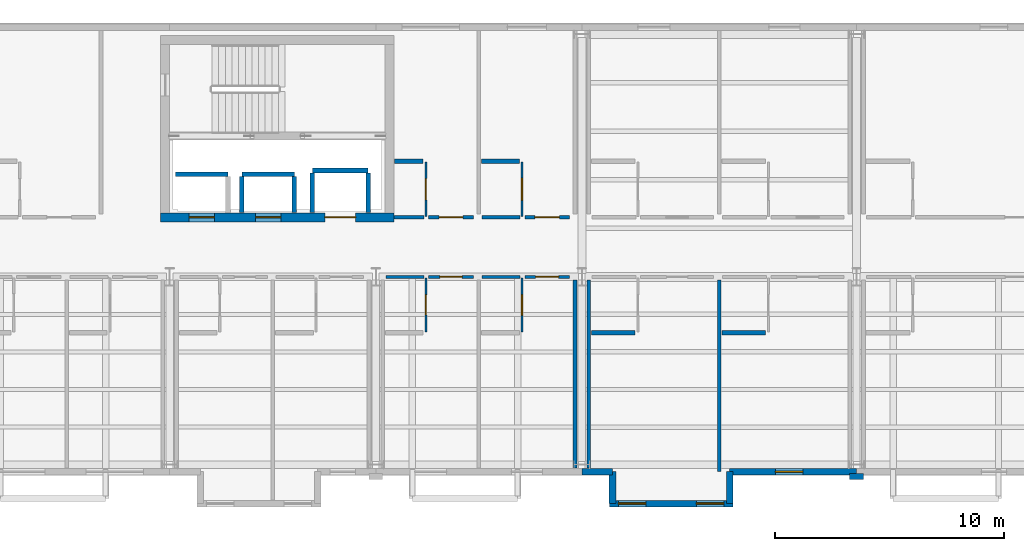
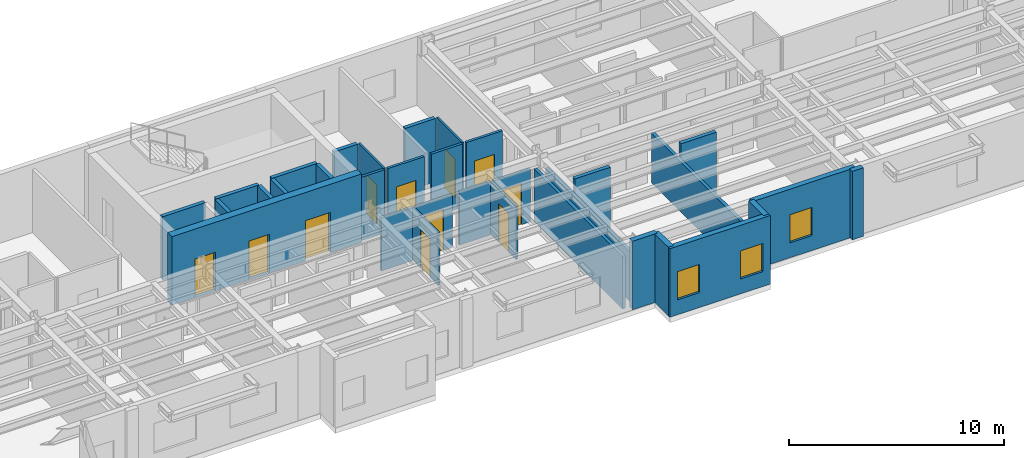
# One storey, part 41 of 59: 33 walls, 11 doors, 3 windows, 14 openings.
"""IFC4 building model written with IfcOpenShell, lengths in metres."""

from ifc_helpers import new_model, si_unit, direction, frame, frame_2d, origin, place, context, subcontext, project, spatial, rectangle, extrude, material, layer, layer_set, type_object, element, fill, save


model = new_model("IFC4")

# Units and contexts
model_context = context("Model", 3, precision=1e-05, world=origin(), true_north=direction((0.0, 1.0)))
body_context = subcontext(model_context, "Body", "Model", "MODEL_VIEW")
ifc_project = project(units=[si_unit("LENGTHUNIT", "METRE"), si_unit("AREAUNIT", "SQUARE_METRE"), si_unit("VOLUMEUNIT", "CUBIC_METRE"), si_unit("PLANEANGLEUNIT", "RADIAN"), si_unit("MASSUNIT", "GRAM", prefix="KILO")], contexts=[model_context])

# Site, building, storey
site_placement = place(None, origin())
site = spatial("IfcSite", under=ifc_project, at=site_placement, CompositionType="ELEMENT")
building_placement = place(site_placement, origin())
building = spatial("IfcBuilding", under=site, at=building_placement, Name="Sollismere Congress Hotel", CompositionType="ELEMENT")
storey_placement = place(building_placement, frame((0.0, 0.0, 15.60009765625)))
storey = spatial("IfcBuildingStorey", under=building, at=storey_placement, Name="L03", CompositionType="ELEMENT", Elevation=15.60009765625)

# Wall
ifc_material_1 = material(Name="Colorado Buff Sandstone Rainscreen on Insulated Backup", Category="masonry")
ifc_layer_1 = layer(ifc_material_1, 0.284912109375, Name="Colorado Buff Sandstone Rainscreen on Insulated Backup")
ifc_layer_set_1 = layer_set([ifc_layer_1], Name="Colorado Buff Sandstone Rainscreen on Insulated Backup")
wall_type_1 = type_object("IfcWallType", Name="WL-EXT285", PredefinedType="STANDARD", material=ifc_layer_set_1)
wall_1_placement = place(storey_placement, frame((112.0, -0.31005859375, 0.0), z_axis=(0.0, 0.0, 1.0), x_axis=(1.0, 0.0, 0.0)))
element("IfcWall", 1, at=wall_1_placement, inside=storey, type_object=wall_type_1, Name="Exterior wall EW-L03-417", PredefinedType="STANDARD", context=body_context, shape_type="SweptSolid", body=[
    extrude(rectangle(XDim=1.340087890625, YDim=0.284912109375, at=frame_2d((0.669921875, 0.0))), origin(), (0.0, 0.0, 1.0), 3.89990234375),
])

# Wall, opening, window
wall_2_placement = place(storey_placement, frame((118.4599609375, -0.31005859375, 0.0), z_axis=(0.0, 0.0, 1.0), x_axis=(1.0, 0.0, 0.0)))
wall_2 = element("IfcWall", 2, at=wall_2_placement, inside=storey, type_object=wall_type_1, Name="Exterior wall EW-L03-418", PredefinedType="STANDARD", context=body_context, shape_type="SweptSolid", body=[
    extrude(rectangle(XDim=5.5400390625, YDim=0.284912109375, at=frame_2d((2.77001953125, 0.0))), origin(), (0.0, 0.0, 1.0), 3.89990234375),
])
opening_1_placement = place(wall_2_placement, frame((1.9951171875, 0.0, 0.85009765625)))
opening_1 = element("IfcOpeningElement", 3, at=opening_1_placement, cuts=wall_2, Name="Opening W-L03-328", PredefinedType="OPENING", context=body_context, shape_type="SweptSolid", body=[
    extrude(rectangle(XDim=1.199951171875, YDim=1.60009765625, at=frame_2d((0.60009765625, 0.800048828125))), frame((0.0, 0.15234375, 0.0), z_axis=(0.0, -1.0, 0.0), x_axis=(1.0, 0.0, 0.0)), (0.0, 0.0, 1.0), 0.304931640625),
])
ifc_material_2 = material(Name="Thermally Broken Bronze Aluminum & Low-E Glass", Category="aluminium")
window_type = type_object("IfcWindowType", Name="WN-P120x160", PartitioningType="SINGLE_PANEL", PredefinedType="WINDOW", material=ifc_material_2)
window_1_placement = place(opening_1_placement, origin())
window_1 = element("IfcWindow", 4, at=window_1_placement, inside=storey, type_object=window_type, Name="WIN-W-L03-328", OverallHeight=1.60009765625, OverallWidth=1.199951171875, PartitioningType="SINGLE_PANEL", PredefinedType="WINDOW", context=body_context, shape_type="SweptSolid", body=[
    extrude(rectangle(XDim=1.199951171875, YDim=1.60009765625, at=frame_2d((0.60009765625, 0.800048828125))), frame((0.0, 0.030029296875, 0.0), z_axis=(0.0, -1.0, 0.0), x_axis=(1.0, 0.0, 0.0)), (0.0, 0.0, 1.0), 0.06005859375),
])
fill(opening_1, window_1)

# Wall, openings, windows
wall_3_placement = place(storey_placement, frame((113.199951171875, -1.699951171875, 0.0), z_axis=(0.0, 0.0, 1.0), x_axis=(1.0, 0.0, 0.0)))
wall_3 = element("IfcWall", 5, at=wall_3_placement, inside=storey, type_object=wall_type_1, Name="Exterior wall EW-L03-419", PredefinedType="STANDARD", context=body_context, shape_type="SweptSolid", body=[
    extrude(rectangle(XDim=5.400146484375, YDim=0.284912109375, at=frame_2d((2.7001953125, 0.0))), origin(), (0.0, 0.0, 1.0), 3.89990234375),
])
opening_2_placement = place(wall_3_placement, frame((0.39990234375, 0.0, 0.85009765625)))
opening_2 = element("IfcOpeningElement", 6, at=opening_2_placement, cuts=wall_3, Name="Opening W-L03-329", PredefinedType="OPENING", context=body_context, shape_type="SweptSolid", body=[
    extrude(rectangle(XDim=1.199951171875, YDim=1.60009765625, at=frame_2d((0.60009765625, 0.800048828125))), frame((0.0, 0.15234375, 0.0), z_axis=(0.0, -1.0, 0.0), x_axis=(1.0, 0.0, 0.0)), (0.0, 0.0, 1.0), 0.304931640625),
])
opening_3_placement = place(wall_3_placement, frame((3.800048828125, 0.0, 0.85009765625)))
opening_3 = element("IfcOpeningElement", 7, at=opening_3_placement, cuts=wall_3, Name="Opening W-L03-330", PredefinedType="OPENING", context=body_context, shape_type="SweptSolid", body=[
    extrude(rectangle(XDim=1.199951171875, YDim=1.60009765625, at=frame_2d((0.60009765625, 0.800048828125))), frame((0.0, 0.15234375, 0.0), z_axis=(0.0, -1.0, 0.0), x_axis=(1.0, 0.0, 0.0)), (0.0, 0.0, 1.0), 0.304931640625),
])
window_2_placement = place(opening_2_placement, origin())
window_2 = element("IfcWindow", 8, at=window_2_placement, inside=storey, type_object=window_type, Name="WIN-W-L03-329", OverallHeight=1.60009765625, OverallWidth=1.199951171875, PartitioningType="SINGLE_PANEL", PredefinedType="WINDOW", context=body_context, shape_type="SweptSolid", body=[
    extrude(rectangle(XDim=1.199951171875, YDim=1.60009765625, at=frame_2d((0.60009765625, 0.800048828125))), frame((0.0, 0.030029296875, 0.0), z_axis=(0.0, -1.0, 0.0), x_axis=(1.0, 0.0, 0.0)), (0.0, 0.0, 1.0), 0.06005859375),
])
fill(opening_2, window_2)
window_3_placement = place(opening_3_placement, origin())
window_3 = element("IfcWindow", 9, at=window_3_placement, inside=storey, type_object=window_type, Name="WIN-W-L03-330", OverallHeight=1.60009765625, OverallWidth=1.199951171875, PartitioningType="SINGLE_PANEL", PredefinedType="WINDOW", context=body_context, shape_type="SweptSolid", body=[
    extrude(rectangle(XDim=1.199951171875, YDim=1.60009765625, at=frame_2d((0.60009765625, 0.800048828125))), frame((0.0, 0.030029296875, 0.0), z_axis=(0.0, -1.0, 0.0), x_axis=(1.0, 0.0, 0.0)), (0.0, 0.0, 1.0), 0.06005859375),
])
fill(opening_3, window_3)

# Walls
for number, where, z_axis, x_axis, name in (
    (10, (113.340087890625, -0.31005859375, 0.0), (0.0, 0.0, 1.0), (0.0, -1.0, 0.0), "Exterior wall EW-L03-420"),
    (11, (118.4599609375, -1.699951171875, 0.0), (0.0, 0.0, 1.0), (0.0, 1.0, 0.0), "Exterior wall EW-L03-421"),
):
    element("IfcWall", number, at=place(storey_placement, frame(where, z_axis=z_axis, x_axis=x_axis)), inside=storey, type_object=wall_type_1, Name=name, PredefinedType="STANDARD", context=body_context, shape_type="SweptSolid", body=[
        extrude(rectangle(XDim=1.389892578125, YDim=0.284912109375, at=frame_2d((0.69482421875, 0.0))), origin(), (0.0, 0.0, 1.0), 3.89990234375),
    ])
ifc_material_3 = material(Name="Carved Travertine Pilaster & Frieze Assembly", Category="masonry")
ifc_layer_2 = layer(ifc_material_3, 0.260009765625, Name="Carved Travertine Pilaster & Frieze Assembly")
ifc_layer_set_2 = layer_set([ifc_layer_2], Name="Carved Travertine Pilaster & Frieze Assembly")
wall_type_2 = type_object("IfcWallType", Name="WL-PIL280", PredefinedType="ELEMENTEDWALL", material=ifc_layer_set_2)
wall_4_placement = place(storey_placement, frame((123.699951171875, -0.52001953125, 0.0), z_axis=(0.0, 0.0, 1.0), x_axis=(1.0, 0.0, 0.0)))
element("IfcWall", 12, at=wall_4_placement, inside=storey, type_object=wall_type_2, Name="Exterior wall EW-L03-423", PredefinedType="ELEMENTEDWALL", context=body_context, shape_type="SweptSolid", body=[
    extrude(rectangle(XDim=0.60009765625, YDim=0.260009765625, at=frame_2d((0.300048828125, 0.0))), origin(), (0.0, 0.0, 1.0), 3.89990234375),
])
ifc_material_4 = material(Name="Moisture-Resistant Shaft Gypsum Assembly")
ifc_layer_3 = layer(ifc_material_4, 0.199951171875, Name="Moisture-Resistant Shaft Gypsum Assembly")
ifc_layer_set_3 = layer_set([ifc_layer_3], Name="Moisture-Resistant Shaft Gypsum Assembly")
wall_type_3 = type_object("IfcWallType", Name="WL-PLM200", PredefinedType="PLUMBINGWALL", material=ifc_layer_set_3)
for number, where, z_axis, x_axis, name in (
    (13, (94.2548828125, 12.68994140625, 0.0), (0.0, 0.0, 1.0), (1.0, 0.0, 0.0), "Interior wall IW-L03-0266"),
    (14, (97.155029296875, 12.68994140625, 0.0), (0.0, 0.0, 1.0), (1.0, 0.0, 0.0), "Interior wall IW-L03-0268"),
):
    element("IfcWall", number, at=place(storey_placement, frame(where, z_axis=z_axis, x_axis=x_axis)), inside=storey, type_object=wall_type_3, Name=name, PredefinedType="PLUMBINGWALL", context=body_context, shape_type="SweptSolid", body=[
        extrude(rectangle(XDim=2.2900390625, YDim=0.199951171875, at=frame_2d((1.14501953125, 0.0))), origin(), (0.0, 0.0, 1.0), 3.599853515625),
    ])
for number, where, z_axis, x_axis, name in (
    (15, (97.155029296875, 11.011962890625, 0.0), (0.0, 0.0, 1.0), (0.0, 1.0, 0.0), "Interior wall IW-L03-0269"),
    (16, (99.445068359375, 11.011962890625, 0.0), (0.0, 0.0, 1.0), (0.0, 1.0, 0.0), "Interior wall IW-L03-0270"),
):
    element("IfcWall", number, at=place(storey_placement, frame(where, z_axis=z_axis, x_axis=x_axis)), inside=storey, type_object=wall_type_3, Name=name, PredefinedType="PLUMBINGWALL", context=body_context, shape_type="SweptSolid", body=[
        extrude(rectangle(XDim=1.56591796875, YDim=0.199951171875, at=frame_2d((0.782958984375, 0.0))), origin(), (0.0, 0.0, 1.0), 3.599853515625),
    ])
wall_5_placement = place(storey_placement, frame((100.22998046875, 12.844970703125, 0.0), z_axis=(0.0, 0.0, 1.0), x_axis=(1.0, 0.0, 0.0)))
element("IfcWall", 17, at=wall_5_placement, inside=storey, type_object=wall_type_3, Name="Interior wall IW-L03-0271", PredefinedType="PLUMBINGWALL", context=body_context, shape_type="SweptSolid", body=[
    extrude(rectangle(XDim=2.43994140625, YDim=0.199951171875, at=frame_2d((1.219970703125, 0.0))), origin(), (0.0, 0.0, 1.0), 3.599853515625),
])
for number, where, z_axis, x_axis, name in (
    (18, (100.22998046875, 11.011962890625, 0.0), (0.0, 0.0, 1.0), (0.0, 1.0, 0.0), "Interior wall IW-L03-0272"),
    (19, (102.669921875, 11.011962890625, 0.0), (0.0, 0.0, 1.0), (0.0, 1.0, 0.0), "Interior wall IW-L03-0273"),
):
    element("IfcWall", number, at=place(storey_placement, frame(where, z_axis=z_axis, x_axis=x_axis)), inside=storey, type_object=wall_type_3, Name=name, PredefinedType="PLUMBINGWALL", context=body_context, shape_type="SweptSolid", body=[
        extrude(rectangle(XDim=1.720947265625, YDim=0.199951171875, at=frame_2d((0.8603515625, 0.0))), origin(), (0.0, 0.0, 1.0), 3.599853515625),
    ])
wall_6_placement = place(storey_placement, frame((103.81201171875, 13.25, 0.0), z_axis=(0.0, 0.0, 1.0), x_axis=(1.0, 0.0, 0.0)))
element("IfcWall", 20, at=wall_6_placement, inside=storey, type_object=wall_type_3, Name="Interior wall IW-L03-1319", PredefinedType="PLUMBINGWALL", context=body_context, shape_type="SweptSolid", body=[
    extrude(rectangle(XDim=1.258056640625, YDim=0.199951171875, at=frame_2d((0.62890625, 0.0))), origin(), (0.0, 0.0, 1.0), 3.599853515625),
])
wall_7_placement = place(storey_placement, frame((107.6201171875, 13.25, 0.0), z_axis=(0.0, 0.0, 1.0), x_axis=(1.0, 0.0, 0.0)))
element("IfcWall", 21, at=wall_7_placement, inside=storey, type_object=wall_type_3, Name="Interior wall IW-L03-1324", PredefinedType="PLUMBINGWALL", context=body_context, shape_type="SweptSolid", body=[
    extrude(rectangle(XDim=1.64990234375, YDim=0.199951171875, at=frame_2d((0.824951171875, 0.0))), origin(), (0.0, 0.0, 1.0), 3.599853515625),
])
wall_8_placement = place(storey_placement, frame((112.419921875, 5.75, 0.0), z_axis=(0.0, 0.0, 1.0), x_axis=(1.0, 0.0, 0.0)))
element("IfcWall", 22, at=wall_8_placement, inside=storey, type_object=wall_type_3, Name="Interior wall IW-L03-1330", PredefinedType="PLUMBINGWALL", context=body_context, shape_type="SweptSolid", body=[
    extrude(rectangle(XDim=1.91015625, YDim=0.199951171875, at=frame_2d((0.955078125, 0.0))), origin(), (0.0, 0.0, 1.0), 3.599853515625),
])
wall_9_placement = place(storey_placement, frame((118.1201171875, 5.75, 0.0), z_axis=(0.0, 0.0, 1.0), x_axis=(1.0, 0.0, 0.0)))
element("IfcWall", 23, at=wall_9_placement, inside=storey, type_object=wall_type_3, Name="Interior wall IW-L03-1335", PredefinedType="PLUMBINGWALL", context=body_context, shape_type="SweptSolid", body=[
    extrude(rectangle(XDim=1.909912109375, YDim=0.199951171875, at=frame_2d((0.955078125, 0.0))), origin(), (0.0, 0.0, 1.0), 3.599853515625),
])

# Wall, opening, door
ifc_material_5 = material(Name="Moisture-Resistant Gypsum Partition")
ifc_layer_4 = layer(ifc_material_5, 0.10009765625, Name="Moisture-Resistant Gypsum Partition")
ifc_layer_set_4 = layer_set([ifc_layer_4], Name="Moisture-Resistant Gypsum Partition")
wall_type_4 = type_object("IfcWallType", Name="WL-PRT100", PredefinedType="PARTITIONING", material=ifc_layer_set_4)
wall_10_placement = place(storey_placement, frame((105.18994140625, 5.7900390625, 0.0), z_axis=(0.0, 0.0, 1.0), x_axis=(0.0, 1.0, 0.0)))
wall_10 = element("IfcWall", 24, at=wall_10_placement, inside=storey, type_object=wall_type_4, Name="Interior wall IW-L03-1308", PredefinedType="PARTITIONING", context=body_context, shape_type="SweptSolid", body=[
    extrude(rectangle(XDim=2.369873046875, YDim=0.10009765625, at=frame_2d((1.18505859375, 0.0))), origin(), (0.0, 0.0, 1.0), 3.012939453125),
])
opening_4_placement = place(wall_10_placement, frame((0.7451171875, 0.0, 0.0)))
opening_4 = element("IfcOpeningElement", 25, at=opening_4_placement, cuts=wall_10, Name="Opening D-L03-0462", PredefinedType="OPENING", context=body_context, shape_type="SweptSolid", body=[
    extrude(rectangle(XDim=0.8798828125, YDim=2.179931640625, at=frame_2d((0.43994140625, 1.08984375))), frame((0.0, 0.06005859375, 0.0), z_axis=(0.0, -1.0, 0.0), x_axis=(1.0, 0.0, 0.0)), (0.0, 0.0, 1.0), 0.1201171875),
])
ifc_material_6 = material(Name="Moisture-Sealed Timber Bathroom Door", Category="wood")
door_type_1 = type_object("IfcDoorType", Name="DR-BT05", OperationType="NOTDEFINED", PredefinedType="DOOR", material=ifc_material_6)
door_1_placement = place(opening_4_placement, origin())
door_1 = element("IfcDoor", 26, at=door_1_placement, inside=storey, type_object=door_type_1, Name="En-suite bathroom door D-L03-0462", OperationType="SINGLE_SWING_LEFT", OverallHeight=2.179931640625, OverallWidth=0.8798828125, PredefinedType="DOOR", context=body_context, shape_type="SweptSolid", body=[
    extrude(rectangle(XDim=0.8798828125, YDim=2.179931640625, at=frame_2d((0.43994140625, 1.08984375))), frame((0.0, 0.02490234375, 0.0), z_axis=(0.0, -1.0, 0.0), x_axis=(1.0, 0.0, 0.0)), (0.0, 0.0, 1.0), 0.050048828125),
])
fill(opening_4, door_1)

wall_11_placement = place(storey_placement, frame((109.389892578125, 5.7900390625, 0.0), z_axis=(0.0, 0.0, 1.0), x_axis=(0.0, 1.0, 0.0)))
wall_11 = element("IfcWall", 27, at=wall_11_placement, inside=storey, type_object=wall_type_4, Name="Interior wall IW-L03-1313", PredefinedType="PARTITIONING", context=body_context, shape_type="SweptSolid", body=[
    extrude(rectangle(XDim=2.369873046875, YDim=0.10009765625, at=frame_2d((1.18505859375, 0.0))), origin(), (0.0, 0.0, 1.0), 3.012939453125),
])
opening_5_placement = place(wall_11_placement, frame((0.73291015625, 0.0, 0.0)))
opening_5 = element("IfcOpeningElement", 28, at=opening_5_placement, cuts=wall_11, Name="Opening D-L03-0464", PredefinedType="OPENING", context=body_context, shape_type="SweptSolid", body=[
    extrude(rectangle(XDim=0.905029296875, YDim=2.179931640625, at=frame_2d((0.45263671875, 1.08984375))), frame((0.0, 0.06005859375, 0.0), z_axis=(0.0, -1.0, 0.0), x_axis=(1.0, 0.0, 0.0)), (0.0, 0.0, 1.0), 0.1201171875),
])
door_type_2 = type_object("IfcDoorType", Name="DR-BT06", OperationType="NOTDEFINED", PredefinedType="DOOR", material=ifc_material_6)
door_2_placement = place(opening_5_placement, origin())
door_2 = element("IfcDoor", 29, at=door_2_placement, inside=storey, type_object=door_type_2, Name="En-suite bathroom door D-L03-0464", OperationType="SINGLE_SWING_LEFT", OverallHeight=2.179931640625, OverallWidth=0.905029296875, PredefinedType="DOOR", context=body_context, shape_type="SweptSolid", body=[
    extrude(rectangle(XDim=0.905029296875, YDim=2.179931640625, at=frame_2d((0.45263671875, 1.08984375))), frame((0.0, 0.02490234375, 0.0), z_axis=(0.0, -1.0, 0.0), x_axis=(1.0, 0.0, 0.0)), (0.0, 0.0, 1.0), 0.050048828125),
])
fill(opening_5, door_2)

wall_12_placement = place(storey_placement, frame((105.18994140625, 10.840087890625, 0.0), z_axis=(0.0, 0.0, 1.0), x_axis=(0.0, 1.0, 0.0)))
wall_12 = element("IfcWall", 30, at=wall_12_placement, inside=storey, type_object=wall_type_4, Name="Interior wall IW-L03-1318", PredefinedType="PARTITIONING", context=body_context, shape_type="SweptSolid", body=[
    extrude(rectangle(XDim=2.369873046875, YDim=0.10009765625, at=frame_2d((1.18505859375, 0.0))), origin(), (0.0, 0.0, 1.0), 3.599853515625),
])
opening_6_placement = place(wall_12_placement, frame((0.719970703125, 0.0, 0.0)))
opening_6 = element("IfcOpeningElement", 31, at=opening_6_placement, cuts=wall_12, Name="Opening D-L03-0466", PredefinedType="OPENING", context=body_context, shape_type="SweptSolid", body=[
    extrude(rectangle(XDim=0.929931640625, YDim=2.219970703125, at=frame_2d((0.46484375, 1.10986328125))), frame((0.0, 0.06005859375, 0.0), z_axis=(0.0, -1.0, 0.0), x_axis=(1.0, 0.0, 0.0)), (0.0, 0.0, 1.0), 0.1201171875),
])
door_type_3 = type_object("IfcDoorType", Name="DR-BT07", OperationType="NOTDEFINED", PredefinedType="DOOR", material=ifc_material_6)
door_3_placement = place(opening_6_placement, origin())
door_3 = element("IfcDoor", 32, at=door_3_placement, inside=storey, type_object=door_type_3, Name="En-suite bathroom door D-L03-0466", OperationType="SINGLE_SWING_LEFT", OverallHeight=2.219970703125, OverallWidth=0.929931640625, PredefinedType="DOOR", context=body_context, shape_type="SweptSolid", body=[
    extrude(rectangle(XDim=0.929931640625, YDim=2.219970703125, at=frame_2d((0.46484375, 1.10986328125))), frame((0.0, 0.02490234375, 0.0), z_axis=(0.0, -1.0, 0.0), x_axis=(1.0, 0.0, 0.0)), (0.0, 0.0, 1.0), 0.050048828125),
])
fill(opening_6, door_3)

wall_13_placement = place(storey_placement, frame((109.389892578125, 10.840087890625, 0.0), z_axis=(0.0, 0.0, 1.0), x_axis=(0.0, 1.0, 0.0)))
wall_13 = element("IfcWall", 33, at=wall_13_placement, inside=storey, type_object=wall_type_4, Name="Interior wall IW-L03-1323", PredefinedType="PARTITIONING", context=body_context, shape_type="SweptSolid", body=[
    extrude(rectangle(XDim=2.369873046875, YDim=0.10009765625, at=frame_2d((1.18505859375, 0.0))), origin(), (0.0, 0.0, 1.0), 3.599853515625),
])
opening_7_placement = place(wall_13_placement, frame((0.7080078125, 0.0, 0.0)))
opening_7 = element("IfcOpeningElement", 34, at=opening_7_placement, cuts=wall_13, Name="Opening D-L03-0468", PredefinedType="OPENING", context=body_context, shape_type="SweptSolid", body=[
    extrude(rectangle(XDim=0.955078125, YDim=2.219970703125, at=frame_2d((0.4775390625, 1.10986328125))), frame((0.0, 0.06005859375, 0.0), z_axis=(0.0, -1.0, 0.0), x_axis=(1.0, 0.0, 0.0)), (0.0, 0.0, 1.0), 0.1201171875),
])
door_type_4 = type_object("IfcDoorType", Name="DR-BT08", OperationType="NOTDEFINED", PredefinedType="DOOR", material=ifc_material_6)
door_4_placement = place(opening_7_placement, origin())
door_4 = element("IfcDoor", 35, at=door_4_placement, inside=storey, type_object=door_type_4, Name="En-suite bathroom door D-L03-0468", OperationType="SINGLE_SWING_LEFT", OverallHeight=2.219970703125, OverallWidth=0.955078125, PredefinedType="DOOR", context=body_context, shape_type="SweptSolid", body=[
    extrude(rectangle(XDim=0.955078125, YDim=2.219970703125, at=frame_2d((0.4775390625, 1.10986328125))), frame((0.0, 0.02490234375, 0.0), z_axis=(0.0, -1.0, 0.0), x_axis=(1.0, 0.0, 0.0)), (0.0, 0.0, 1.0), 0.050048828125),
])
fill(opening_7, door_4)

# Wall
ifc_material_7 = material(Name="Fire-Rated Gypsum Partition")
ifc_layer_5 = layer(ifc_material_7, 0.139892578125, Name="Fire-Rated Gypsum Partition")
ifc_layer_set_5 = layer_set([ifc_layer_5], Name="Fire-Rated Gypsum Partition")
wall_type_5 = type_object("IfcWallType", Name="WL-PRT140R", PredefinedType="PARTITIONING", material=ifc_layer_set_5)
wall_14_placement = place(storey_placement, frame((103.43994140625, 8.199951171875, 0.0), z_axis=(0.0, 0.0, 1.0), x_axis=(1.0, 0.0, 0.0)))
element("IfcWall", 36, at=wall_14_placement, inside=storey, type_object=wall_type_5, Name="Interior wall IW-L03-1304", PredefinedType="PARTITIONING", context=body_context, shape_type="SweptSolid", body=[
    extrude(rectangle(XDim=1.670166015625, YDim=0.139892578125, at=frame_2d((0.8349609375, 0.0))), origin(), (0.0, 0.0, 1.0), 3.012939453125),
])

# Wall, opening, door
wall_15_placement = place(storey_placement, frame((105.31005859375, 8.199951171875, 0.0), z_axis=(0.0, 0.0, 1.0), x_axis=(1.0, 0.0, 0.0)))
wall_15 = element("IfcWall", 37, at=wall_15_placement, inside=storey, type_object=wall_type_5, Name="Interior wall IW-L03-1305", PredefinedType="PARTITIONING", context=body_context, shape_type="SweptSolid", body=[
    extrude(rectangle(XDim=1.949951171875, YDim=0.139892578125, at=frame_2d((0.97509765625, 0.0))), origin(), (0.0, 0.0, 1.0), 3.012939453125),
])
opening_8_placement = place(wall_15_placement, frame((0.485107421875, 0.0, 0.0)))
opening_8 = element("IfcOpeningElement", 38, at=opening_8_placement, cuts=wall_15, Name="Opening D-L03-0461", PredefinedType="OPENING", context=body_context, shape_type="SweptSolid", body=[
    extrude(rectangle(XDim=0.97998046875, YDim=2.35009765625, at=frame_2d((0.489990234375, 1.175048828125))), frame((0.0, 0.079833984375, 0.0), z_axis=(0.0, -1.0, 0.0), x_axis=(1.0, 0.0, 0.0)), (0.0, 0.0, 1.0), 0.159912109375),
])
ifc_material_8 = material(Name="Solid-Core Acoustic Walnut Guestroom Entry Door")
door_type_5 = type_object("IfcDoorType", Name="DR-KY09", OperationType="NOTDEFINED", PredefinedType="DOOR", material=ifc_material_8)
door_5_placement = place(opening_8_placement, origin())
door_5 = element("IfcDoor", 39, at=door_5_placement, inside=storey, type_object=door_type_5, Name="Hotel room entry door D-L03-0461", OperationType="SINGLE_SWING_RIGHT", OverallHeight=2.35009765625, OverallWidth=0.97998046875, PredefinedType="DOOR", context=body_context, shape_type="SweptSolid", body=[
    extrude(rectangle(XDim=0.97998046875, YDim=2.35009765625, at=frame_2d((0.489990234375, 1.175048828125))), frame((0.0, 0.02490234375, 0.0), z_axis=(0.0, -1.0, 0.0), x_axis=(1.0, 0.0, 0.0)), (0.0, 0.0, 1.0), 0.050048828125),
])
fill(opening_8, door_5)

# Wall
wall_16_placement = place(storey_placement, frame((107.639892578125, 8.199951171875, 0.0), z_axis=(0.0, 0.0, 1.0), x_axis=(1.0, 0.0, 0.0)))
element("IfcWall", 40, at=wall_16_placement, inside=storey, type_object=wall_type_5, Name="Interior wall IW-L03-1310", PredefinedType="PARTITIONING", context=body_context, shape_type="SweptSolid", body=[
    extrude(rectangle(XDim=1.670166015625, YDim=0.139892578125, at=frame_2d((0.8349609375, 0.0))), origin(), (0.0, 0.0, 1.0), 3.012939453125),
])

# Wall, opening, door
wall_17_placement = place(storey_placement, frame((109.510009765625, 8.199951171875, 0.0), z_axis=(0.0, 0.0, 1.0), x_axis=(1.0, 0.0, 0.0)))
wall_17 = element("IfcWall", 41, at=wall_17_placement, inside=storey, type_object=wall_type_5, Name="Interior wall IW-L03-1311", PredefinedType="PARTITIONING", context=body_context, shape_type="SweptSolid", body=[
    extrude(rectangle(XDim=1.949951171875, YDim=0.139892578125, at=frame_2d((0.97509765625, 0.0))), origin(), (0.0, 0.0, 1.0), 3.012939453125),
])
opening_9_placement = place(wall_17_placement, frame((0.469970703125, 0.0, 0.0)))
opening_9 = element("IfcOpeningElement", 42, at=opening_9_placement, cuts=wall_17, Name="Opening D-L03-0463", PredefinedType="OPENING", context=body_context, shape_type="SweptSolid", body=[
    extrude(rectangle(XDim=1.010009765625, YDim=2.35009765625, at=frame_2d((0.5048828125, 1.175048828125))), frame((0.0, 0.079833984375, 0.0), z_axis=(0.0, -1.0, 0.0), x_axis=(1.0, 0.0, 0.0)), (0.0, 0.0, 1.0), 0.159912109375),
])
door_type_6 = type_object("IfcDoorType", Name="DR-KY10", OperationType="NOTDEFINED", PredefinedType="DOOR", material=ifc_material_8)
door_6_placement = place(opening_9_placement, origin())
door_6 = element("IfcDoor", 43, at=door_6_placement, inside=storey, type_object=door_type_6, Name="Hotel room entry door D-L03-0463", OperationType="SINGLE_SWING_RIGHT", OverallHeight=2.35009765625, OverallWidth=1.010009765625, PredefinedType="DOOR", context=body_context, shape_type="SweptSolid", body=[
    extrude(rectangle(XDim=1.010009765625, YDim=2.35009765625, at=frame_2d((0.5048828125, 1.175048828125))), frame((0.0, 0.02490234375, 0.0), z_axis=(0.0, -1.0, 0.0), x_axis=(1.0, 0.0, 0.0)), (0.0, 0.0, 1.0), 0.050048828125),
])
fill(opening_9, door_6)

# Wall
wall_18_placement = place(storey_placement, frame((103.800048828125, 10.800048828125, 0.0), z_axis=(0.0, 0.0, 1.0), x_axis=(1.0, 0.0, 0.0)))
element("IfcWall", 44, at=wall_18_placement, inside=storey, type_object=wall_type_5, Name="Interior wall IW-L03-1315", PredefinedType="PARTITIONING", context=body_context, shape_type="SweptSolid", body=[
    extrude(rectangle(XDim=1.31005859375, YDim=0.139892578125, at=frame_2d((0.655029296875, 0.0))), origin(), (0.0, 0.0, 1.0), 3.599853515625),
])

# Wall, opening, door
wall_19_placement = place(storey_placement, frame((105.31005859375, 10.800048828125, 0.0), z_axis=(0.0, 0.0, 1.0), x_axis=(1.0, 0.0, 0.0)))
wall_19 = element("IfcWall", 45, at=wall_19_placement, inside=storey, type_object=wall_type_5, Name="Interior wall IW-L03-1316", PredefinedType="PARTITIONING", context=body_context, shape_type="SweptSolid", body=[
    extrude(rectangle(XDim=1.949951171875, YDim=0.139892578125, at=frame_2d((0.97509765625, 0.0))), origin(), (0.0, 0.0, 1.0), 3.599853515625),
])
opening_10_placement = place(wall_19_placement, frame((0.455078125, 0.0, 0.0)))
opening_10 = element("IfcOpeningElement", 46, at=opening_10_placement, cuts=wall_19, Name="Opening D-L03-0465", PredefinedType="OPENING", context=body_context, shape_type="SweptSolid", body=[
    extrude(rectangle(XDim=1.0400390625, YDim=2.39990234375, at=frame_2d((0.52001953125, 1.199951171875))), frame((0.0, 0.079833984375, 0.0), z_axis=(0.0, -1.0, 0.0), x_axis=(1.0, 0.0, 0.0)), (0.0, 0.0, 1.0), 0.159912109375),
])
door_type_7 = type_object("IfcDoorType", Name="DR-KY11", OperationType="NOTDEFINED", PredefinedType="DOOR", material=ifc_material_8)
door_7_placement = place(opening_10_placement, origin())
door_7 = element("IfcDoor", 47, at=door_7_placement, inside=storey, type_object=door_type_7, Name="Hotel room entry door D-L03-0465", OperationType="SINGLE_SWING_RIGHT", OverallHeight=2.39990234375, OverallWidth=1.0400390625, PredefinedType="DOOR", context=body_context, shape_type="SweptSolid", body=[
    extrude(rectangle(XDim=1.0400390625, YDim=2.39990234375, at=frame_2d((0.52001953125, 1.199951171875))), frame((0.0, 0.02490234375, 0.0), z_axis=(0.0, -1.0, 0.0), x_axis=(1.0, 0.0, 0.0)), (0.0, 0.0, 1.0), 0.050048828125),
])
fill(opening_10, door_7)

# Wall
wall_20_placement = place(storey_placement, frame((107.639892578125, 10.800048828125, 0.0), z_axis=(0.0, 0.0, 1.0), x_axis=(1.0, 0.0, 0.0)))
element("IfcWall", 48, at=wall_20_placement, inside=storey, type_object=wall_type_5, Name="Interior wall IW-L03-1320", PredefinedType="PARTITIONING", context=body_context, shape_type="SweptSolid", body=[
    extrude(rectangle(XDim=1.670166015625, YDim=0.139892578125, at=frame_2d((0.8349609375, 0.0))), origin(), (0.0, 0.0, 1.0), 3.599853515625),
])

# Wall, opening, door
wall_21_placement = place(storey_placement, frame((109.510009765625, 10.800048828125, 0.0), z_axis=(0.0, 0.0, 1.0), x_axis=(1.0, 0.0, 0.0)))
wall_21 = element("IfcWall", 49, at=wall_21_placement, inside=storey, type_object=wall_type_5, Name="Interior wall IW-L03-1321", PredefinedType="PARTITIONING", context=body_context, shape_type="SweptSolid", body=[
    extrude(rectangle(XDim=1.949951171875, YDim=0.139892578125, at=frame_2d((0.97509765625, 0.0))), origin(), (0.0, 0.0, 1.0), 3.599853515625),
])
opening_11_placement = place(wall_21_placement, frame((0.43994140625, 0.0, 0.0)))
opening_11 = element("IfcOpeningElement", 50, at=opening_11_placement, cuts=wall_21, Name="Opening D-L03-0467", PredefinedType="OPENING", context=body_context, shape_type="SweptSolid", body=[
    extrude(rectangle(XDim=1.070068359375, YDim=2.39990234375, at=frame_2d((0.53515625, 1.199951171875))), frame((0.0, 0.079833984375, 0.0), z_axis=(0.0, -1.0, 0.0), x_axis=(1.0, 0.0, 0.0)), (0.0, 0.0, 1.0), 0.159912109375),
])
door_type_8 = type_object("IfcDoorType", Name="DR-KY12", OperationType="NOTDEFINED", PredefinedType="DOOR", material=ifc_material_8)
door_8_placement = place(opening_11_placement, origin())
door_8 = element("IfcDoor", 51, at=door_8_placement, inside=storey, type_object=door_type_8, Name="Hotel room entry door D-L03-0467", OperationType="SINGLE_SWING_RIGHT", OverallHeight=2.39990234375, OverallWidth=1.070068359375, PredefinedType="DOOR", context=body_context, shape_type="SweptSolid", body=[
    extrude(rectangle(XDim=1.070068359375, YDim=2.39990234375, at=frame_2d((0.53515625, 1.199951171875))), frame((0.0, 0.02490234375, 0.0), z_axis=(0.0, -1.0, 0.0), x_axis=(1.0, 0.0, 0.0)), (0.0, 0.0, 1.0), 0.050048828125),
])
fill(opening_11, door_8)

# Walls
ifc_material_9 = material(Name="Fire-Rated Acoustic Gypsum Partition")
ifc_layer_6 = layer(ifc_material_9, 0.1650390625, Name="Fire-Rated Acoustic Gypsum Partition")
ifc_layer_set_6 = layer_set([ifc_layer_6], Name="Fire-Rated Acoustic Gypsum Partition")
wall_type_6 = type_object("IfcWallType", Name="WL-PRT165R", PredefinedType="PARTITIONING", material=ifc_layer_set_6)
wall_22_placement = place(storey_placement, frame((111.699951171875, -0.152587890625, 0.0), z_axis=(0.0, 0.0, 1.0), x_axis=(0.0, 1.0, 0.0)))
element("IfcWall", 52, at=wall_22_placement, inside=storey, type_object=wall_type_6, Name="Interior wall IW-L03-1312", PredefinedType="PARTITIONING", context=body_context, shape_type="SweptSolid", body=[
    extrude(rectangle(XDim=8.212646484375, YDim=0.1650390625, at=frame_2d((4.1064453125, 0.0))), origin(), (0.0, 0.0, 1.0), 2.989990234375),
])
wall_23_placement = place(storey_placement, frame((112.300048828125, -0.152587890625, 0.0), z_axis=(0.0, 0.0, 1.0), x_axis=(0.0, 1.0, 0.0)))
element("IfcWall", 53, at=wall_23_placement, inside=storey, type_object=wall_type_6, Name="Interior wall IW-L03-1327", PredefinedType="PARTITIONING", context=body_context, shape_type="SweptSolid", body=[
    extrude(rectangle(XDim=8.212646484375, YDim=0.1650390625, at=frame_2d((4.1064453125, 0.0))), origin(), (0.0, 0.0, 1.0), 2.837890625),
])
wall_24_placement = place(storey_placement, frame((118.0, -0.31005859375, 0.0), z_axis=(0.0, 0.0, 1.0), x_axis=(0.0, 1.0, 0.0)))
element("IfcWall", 54, at=wall_24_placement, inside=storey, type_object=wall_type_6, Name="Interior wall IW-L03-1328", PredefinedType="PARTITIONING", context=body_context, shape_type="SweptSolid", body=[
    extrude(rectangle(XDim=8.3701171875, YDim=0.1650390625, at=frame_2d((4.18505859375, 0.0))), origin(), (0.0, 0.0, 1.0), 2.837890625),
])

# Wall, openings, doors
ifc_material_10 = material(Name="Concrete C50/60", Category="concrete")
ifc_layer_7 = layer(ifc_material_10, 0.39990234375, Name="Concrete C50/60")
ifc_layer_set_7 = layer_set([ifc_layer_7], Name="Concrete C50/60")
wall_type_7 = type_object("IfcWallType", Name="WL-SHR400", PredefinedType="SHEAR", material=ifc_layer_set_7)
wall_25_placement = place(storey_placement, frame((93.60009765625, 10.800048828125, 0.0), z_axis=(0.0, 0.0, 1.0), x_axis=(1.0, 0.0, 0.0)))
wall_25 = element("IfcWall", 55, at=wall_25_placement, inside=storey, type_object=wall_type_7, Name="Interior wall IW-L03-0261", PredefinedType="SHEAR", context=body_context, shape_type="SweptSolid", body=[
    extrude(rectangle(XDim=10.199951171875, YDim=0.39990234375, at=frame_2d((5.10009765625, 0.0))), origin(), (0.0, 0.0, 1.0), 3.89990234375),
])
opening_12_placement = place(wall_25_placement, frame((1.25, 0.0, 0.0)))
opening_12 = element("IfcOpeningElement", 56, at=opening_12_placement, cuts=wall_25, Name="Opening LD-LP-03-L03", PredefinedType="OPENING", context=body_context, shape_type="SweptSolid", body=[
    extrude(rectangle(XDim=1.10009765625, YDim=2.199951171875, at=frame_2d((0.550048828125, 1.10009765625))), frame((0.0, 0.2099609375, 0.0), z_axis=(0.0, -1.0, 0.0), x_axis=(1.0, 0.0, 0.0)), (0.0, 0.0, 1.0), 0.419921875),
])
opening_13_placement = place(wall_25_placement, frame((4.14990234375, 0.0, 0.0)))
opening_13 = element("IfcOpeningElement", 57, at=opening_13_placement, cuts=wall_25, Name="Opening LD-LP-04-L03", PredefinedType="OPENING", context=body_context, shape_type="SweptSolid", body=[
    extrude(rectangle(XDim=1.10009765625, YDim=2.199951171875, at=frame_2d((0.550048828125, 1.10009765625))), frame((0.0, 0.2099609375, 0.0), z_axis=(0.0, -1.0, 0.0), x_axis=(1.0, 0.0, 0.0)), (0.0, 0.0, 1.0), 0.419921875),
])
opening_14_placement = place(wall_25_placement, frame((7.175048828125, 0.0, 0.0)))
opening_14 = element("IfcOpeningElement", 58, at=opening_14_placement, cuts=wall_25, Name="Opening LD-LS-01-L03", PredefinedType="OPENING", context=body_context, shape_type="SweptSolid", body=[
    extrude(rectangle(XDim=1.35009765625, YDim=2.300048828125, at=frame_2d((0.675048828125, 1.14990234375))), frame((0.0, 0.2099609375, 0.0), z_axis=(0.0, -1.0, 0.0), x_axis=(1.0, 0.0, 0.0)), (0.0, 0.0, 1.0), 0.419921875),
])
ifc_material_11 = material(Name="Brushed Bronze Sliding Elevator Landing Door")
door_type_9 = type_object("IfcDoorType", Name="DR-LD110", OperationType="NOTDEFINED", PredefinedType="DOOR", material=ifc_material_11)
door_9_placement = place(opening_12_placement, origin())
door_9 = element("IfcDoor", 59, at=door_9_placement, inside=storey, type_object=door_type_9, Name="Elevator landing door LD-LP-03-L03", OperationType="SLIDING_TO_LEFT", OverallHeight=2.199951171875, OverallWidth=1.10009765625, PredefinedType="DOOR", context=body_context, shape_type="SweptSolid", body=[
    extrude(rectangle(XDim=1.10009765625, YDim=2.199951171875, at=frame_2d((0.550048828125, 1.10009765625))), frame((0.0, 0.02490234375, 0.0), z_axis=(0.0, -1.0, 0.0), x_axis=(1.0, 0.0, 0.0)), (0.0, 0.0, 1.0), 0.050048828125),
])
fill(opening_12, door_9)
door_10_placement = place(opening_13_placement, origin())
door_10 = element("IfcDoor", 60, at=door_10_placement, inside=storey, type_object=door_type_9, Name="Elevator landing door LD-LP-04-L03", OperationType="SLIDING_TO_RIGHT", OverallHeight=2.199951171875, OverallWidth=1.10009765625, PredefinedType="DOOR", context=body_context, shape_type="SweptSolid", body=[
    extrude(rectangle(XDim=1.10009765625, YDim=2.199951171875, at=frame_2d((0.550048828125, 1.10009765625))), frame((0.0, 0.02490234375, 0.0), z_axis=(0.0, -1.0, 0.0), x_axis=(1.0, 0.0, 0.0)), (0.0, 0.0, 1.0), 0.050048828125),
])
fill(opening_13, door_10)
ifc_material_12 = material(Name="Heavy-Duty Stainless Sliding Service Landing Door")
door_type_10 = type_object("IfcDoorType", Name="DR-LD135", OperationType="NOTDEFINED", PredefinedType="DOOR", material=ifc_material_12)
door_11_placement = place(opening_14_placement, origin())
door_11 = element("IfcDoor", 61, at=door_11_placement, inside=storey, type_object=door_type_10, Name="Elevator landing door LD-LS-01-L03", OperationType="SLIDING_TO_LEFT", OverallHeight=2.300048828125, OverallWidth=1.35009765625, PredefinedType="DOOR", context=body_context, shape_type="SweptSolid", body=[
    extrude(rectangle(XDim=1.35009765625, YDim=2.300048828125, at=frame_2d((0.675048828125, 1.14990234375))), frame((0.0, 0.02490234375, 0.0), z_axis=(0.0, -1.0, 0.0), x_axis=(1.0, 0.0, 0.0)), (0.0, 0.0, 1.0), 0.050048828125),
])
fill(opening_14, door_11)

save(model, "model.ifc")
